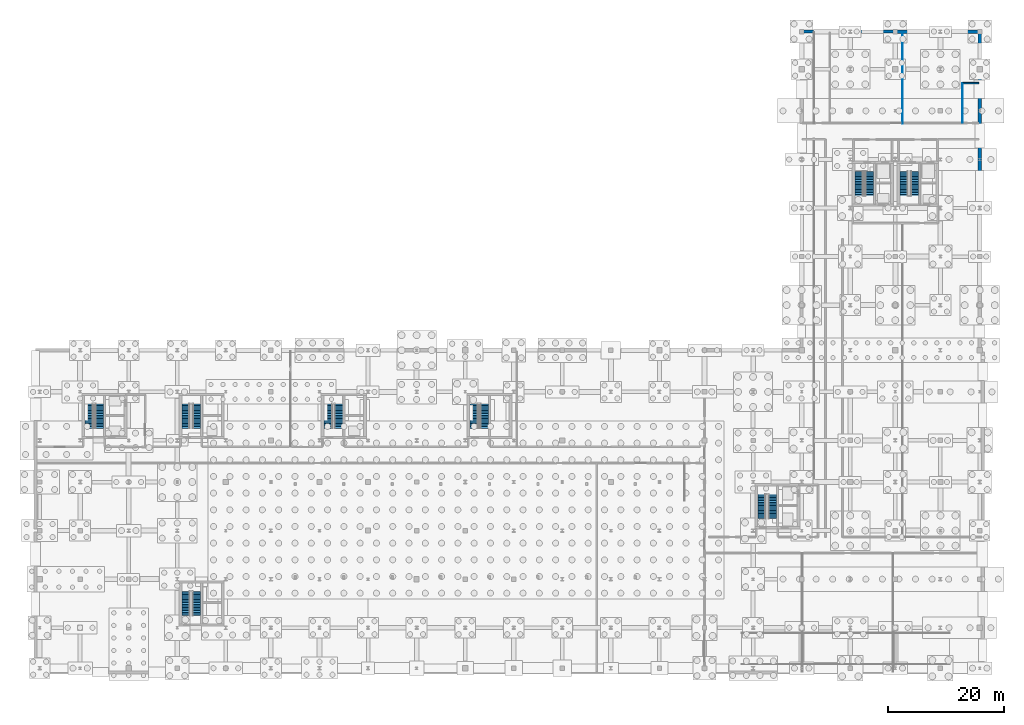
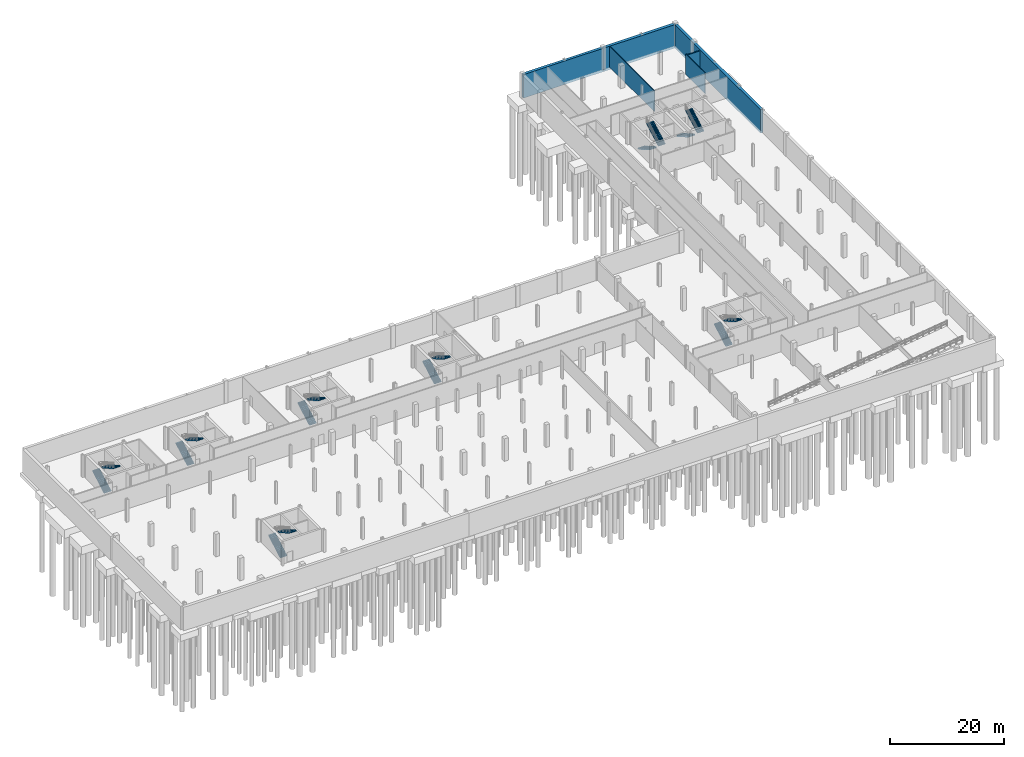
# One storey, part 27 of 32: 16 stair flights, 6 walls, 8 elements without a shape of their own.
"""IFC4 building model written with IfcOpenShell, lengths in metres."""

from ifc_helpers import new_model, si_unit, direction, frame, frame_2d, origin_with_axes, place, context, subcontext, project, spatial, polyline, rectangle, outline, extrude, material, layer, layer_set, type_object, element, aggregate, save


model = new_model("IFC4")

# Units and contexts
model_context = context("Model", 3, precision=1e-05, world=origin_with_axes(), true_north=direction((0.0, 1.0)))
body_context = subcontext(model_context, "Body", "Model", "MODEL_VIEW")
ifc_project = project(units=[si_unit("LENGTHUNIT", "METRE"), si_unit("AREAUNIT", "SQUARE_METRE"), si_unit("VOLUMEUNIT", "CUBIC_METRE"), si_unit("PLANEANGLEUNIT", "RADIAN"), si_unit("MASSUNIT", "GRAM", prefix="KILO"), si_unit("THERMODYNAMICTEMPERATUREUNIT", "KELVIN")], contexts=[model_context])

# Site, building, storey
site_placement = place(None, origin_with_axes())
site = spatial("IfcSite", under=ifc_project, at=site_placement, CompositionType="ELEMENT")
building_placement = place(site_placement, origin_with_axes())
building = spatial("IfcBuilding", under=site, at=building_placement, Name="Montbau Bow Law Courts", CompositionType="ELEMENT")
storey_placement = place(building_placement, frame((0.0, 0.0, -4.8), z_axis=(0.0, 0.0, 1.0), x_axis=(1.0, 0.0, 0.0)))
storey = spatial("IfcBuildingStorey", under=building, at=storey_placement, Name="B1", CompositionType="ELEMENT", Elevation=-4.8)

# Walls
ifc_material_1 = material(Name="Security Custody Wet-Cell Plumbing Chase Assembly", Category="masonry")
ifc_layer_1 = layer(ifc_material_1, 0.24, Name="Plumbing Wall", Category="masonry")
ifc_layer_set_1 = layer_set([ifc_layer_1], Name="Security Custody Wet-Cell Plumbing Chase Assembly")
wall_type_1 = type_object("IfcWallType", Name="W-PLM-02", PredefinedType="PLUMBINGWALL", material=ifc_layer_set_1)
wall_1_placement = place(None, frame((166.41, 108.0, -4.8), z_axis=(0.0, 0.0, 1.0), x_axis=(1.0, 0.0, 0.0)))
element("IfcWall", 1, at=wall_1_placement, inside=storey, type_object=wall_type_1, Name="WD-B1-0601:wal_0668", PredefinedType="PLUMBINGWALL", context=body_context, shape_type="SweptSolid", body=[
    extrude(rectangle(XDim=2.8499999999999943, YDim=0.24, at=frame_2d((1.425, 0.0), x_axis=(1.0, 0.0))), origin_with_axes(), (0.0, 0.0, 1.0), 4.152),
])
ifc_material_2 = material(Name="1 h Registry Office Steel-Stud Fire Partition", Category="gypsum")
ifc_layer_2 = layer(ifc_material_2, 0.14, Name="Partition", Category="gypsum")
ifc_layer_set_2 = layer_set([ifc_layer_2], Name="1 h Registry Office Steel-Stud Fire Partition")
wall_type_2 = type_object("IfcWallType", Name="W-PRT-06", PredefinedType="PARTITIONING", material=ifc_layer_set_2)
wall_2_placement = place(None, frame((156.04, 101.0, -4.8), z_axis=(0.0, 0.0, 1.0), x_axis=(0.0, 1.0, 0.0)))
element("IfcWall", 2, at=wall_2_placement, inside=storey, type_object=wall_type_2, Name="WD-B1-0606:wal_0673", PredefinedType="PARTITIONING", context=body_context, shape_type="SweptSolid", body=[
    extrude(rectangle(XDim=15.780000000000001, YDim=0.14, at=frame_2d((7.89, 0.0), x_axis=(1.0, 0.0))), origin_with_axes(), (0.0, 0.0, 1.0), 4.44),
])
ifc_material_3 = material(Name="Washroom Vestibule Furring Partition", Category="gypsum")
ifc_layer_3 = layer(ifc_material_3, 0.1, Name="Partition", Category="gypsum")
ifc_layer_set_3 = layer_set([ifc_layer_3], Name="Washroom Vestibule Furring Partition")
wall_type_3 = type_object("IfcWallType", Name="W-PRT-08", PredefinedType="PARTITIONING", material=ifc_layer_set_3)
wall_3_placement = place(None, frame((166.41, 101.19, -4.8), z_axis=(0.0, 0.0, 1.0), x_axis=(0.0, 1.0, 0.0)))
element("IfcWall", 3, at=wall_3_placement, inside=storey, type_object=wall_type_3, Name="WD-B1-0600:wal_0667", PredefinedType="PARTITIONING", context=body_context, shape_type="SweptSolid", body=[
    extrude(rectangle(XDim=6.810000000000002, YDim=0.1, at=frame_2d((3.405, 0.0), x_axis=(1.0, 0.0))), origin_with_axes(), (0.0, 0.0, 1.0), 4.44),
])
ifc_material_4 = material(Name="Concrete CSA A23.1 f'c 40 MPa", Category="concrete")
ifc_layer_4 = layer(ifc_material_4, 0.55, Name="Retaining Wall", Category="concrete")
ifc_layer_set_4 = layer_set([ifc_layer_4], Name="Concrete CSA A23.1 f'c 40 MPa")
wall_type_4 = type_object("IfcWallType", Name="W-RET-01", PredefinedType="USERDEFINED", material=ifc_layer_set_4)
wall_4_placement = place(None, frame((169.4, 86.68, -5.35), z_axis=(0.0, 0.0, 1.0), x_axis=(0.0, 1.0, 0.0)))
element("IfcWall", 4, at=wall_4_placement, inside=storey, type_object=wall_type_4, Name="WR-B1-07:wal_0007", ObjectType="RETAININGWALL", PredefinedType="USERDEFINED", context=body_context, shape_type="SweptSolid", body=[
    extrude(rectangle(XDim=29.959999999999994, YDim=0.55, at=frame_2d((14.98, 0.0), x_axis=(1.0, 0.0))), origin_with_axes(), (0.0, 0.0, 1.0), 5.01),
])
wall_5_placement = place(None, frame((154.8, 116.92, -5.35), z_axis=(0.0, 0.0, 1.0), x_axis=(-1.0, 0.0, 0.0)))
element("IfcWall", 5, at=wall_5_placement, inside=storey, type_object=wall_type_4, Name="WR-B1-09:wal_0009", ObjectType="RETAININGWALL", PredefinedType="USERDEFINED", context=body_context, shape_type="SweptSolid", body=[
    extrude(rectangle(XDim=16.200000000000017, YDim=0.55, at=frame_2d((8.1, 0.0), x_axis=(1.0, 0.0))), origin_with_axes(), (0.0, 0.0, 1.0), 5.01),
])
ifc_layer_5 = layer(ifc_material_4, 0.6, Name="Retaining Wall", Category="concrete")
ifc_layer_set_5 = layer_set([ifc_layer_5], Name="Concrete CSA A23.1 f'c 40 MPa")
wall_type_5 = type_object("IfcWallType", Name="W-RET-02", PredefinedType="USERDEFINED", material=ifc_layer_set_5)
wall_6_placement = place(None, frame((169.4, 116.92, -5.35), z_axis=(0.0, 0.0, 1.0), x_axis=(-1.0, 0.0, 0.0)))
element("IfcWall", 6, at=wall_6_placement, inside=storey, type_object=wall_type_5, Name="WR-B1-08:wal_0008", ObjectType="RETAININGWALL", PredefinedType="USERDEFINED", context=body_context, shape_type="SweptSolid", body=[
    extrude(rectangle(XDim=14.599999999999994, YDim=0.6, at=frame_2d((7.3, 0.0), x_axis=(1.0, 0.0))), origin_with_axes(), (0.0, 0.0, 1.0), 5.01),
])

# Stair, stair flights
stair_type_1 = type_object("IfcStairType", Name="ST-JUD-1500", PredefinedType="HALF_TURN_STAIR", material=ifc_material_4)
stair_1_placement = place(None, frame((32.09, 48.3, -4.8), z_axis=(0.0, 0.0, 1.0), x_axis=(1.0, 0.0, 0.0)))
stair_1 = element("IfcStair", 7, at=stair_1_placement, inside=storey, type_object=stair_type_1, Name="ST-J1-B1:str_0009", PredefinedType="HALF_TURN_STAIR")
stair_flight_type_1 = type_object("IfcStairFlightType", Name="SF-RC-1500B", PredefinedType="STRAIGHT", material=ifc_material_4)
stair_flight_1_placement = place(None, frame((32.09, 48.3, -4.8), z_axis=(0.0, 0.0, 1.0), x_axis=(0.0, 1.0, 0.0)))
stair_flight_1 = element("IfcStairFlight", 8, at=stair_flight_1_placement, type_object=stair_flight_type_1, Name="ST-J1-B1-F1:str_0009_F1", NumberOfRisers=15, NumberOfTreads=14, PredefinedType="STRAIGHT", RiserHeight=0.16, TreadLength=0.28, context=body_context, shape_type="SweptSolid", body=[
    extrude(outline(polyline([(0.0, 0.0), (0.0, 0.16), (0.28, 0.16), (0.28, 0.32), (0.56, 0.32), (0.56, 0.48), (0.84, 0.48), (0.84, 0.64), (1.12, 0.64), (1.12, 0.8), (1.4, 0.8), (1.4, 0.96), (1.68, 0.96), (1.68, 1.12), (1.96, 1.12), (1.96, 1.28), (2.24, 1.28), (2.24, 1.44), (2.52, 1.44), (2.52, 1.6), (2.8, 1.6), (2.8, 1.76), (3.08, 1.76), (3.08, 1.92), (3.36, 1.92), (3.36, 2.08), (3.64, 2.08), (3.64, 2.24), (3.92, 2.24), (3.92, 2.4), (4.2, 2.4), (4.2, 2.192685), (0.362802, 0.0), (0.0, 0.0)])), frame((0.0, 0.67, 0.0), z_axis=(0.0, -1.0, 0.0), x_axis=(1.0, 0.0, 0.0)), (0.0, 0.0, 1.0), 1.34),
])
stair_flight_2_placement = place(None, frame((33.96, 52.5, -2.4), z_axis=(0.0, 0.0, 1.0), x_axis=(0.0, -1.0, 0.0)))
stair_flight_2 = element("IfcStairFlight", 9, at=stair_flight_2_placement, type_object=stair_flight_type_1, Name="ST-J1-B1-F2:str_0009_F2", NumberOfRisers=15, NumberOfTreads=14, PredefinedType="STRAIGHT", RiserHeight=0.16, TreadLength=0.28, context=body_context, shape_type="SweptSolid", body=[
    extrude(outline(polyline([(0.0, 0.0), (0.0, 0.16), (0.28, 0.16), (0.28, 0.32), (0.56, 0.32), (0.56, 0.48), (0.84, 0.48), (0.84, 0.64), (1.12, 0.64), (1.12, 0.8), (1.4, 0.8), (1.4, 0.96), (1.68, 0.96), (1.68, 1.12), (1.96, 1.12), (1.96, 1.28), (2.24, 1.28), (2.24, 1.44), (2.52, 1.44), (2.52, 1.6), (2.8, 1.6), (2.8, 1.76), (3.08, 1.76), (3.08, 1.92), (3.36, 1.92), (3.36, 2.08), (3.64, 2.08), (3.64, 2.24), (3.92, 2.24), (3.92, 2.4), (4.2, 2.4), (4.2, 2.192685), (0.362802, 0.0), (0.0, 0.0)])), frame((0.0, 0.67, 0.0), z_axis=(0.0, -1.0, 0.0), x_axis=(1.0, 0.0, 0.0)), (0.0, 0.0, 1.0), 1.34),
])
aggregate(stair_1, [stair_flight_1, stair_flight_2])

stair_2_placement = place(None, frame((156.29, 92.7, -4.8), z_axis=(0.0, 0.0, 1.0), x_axis=(1.0, 0.0, 0.0)))
stair_2 = element("IfcStair", 10, at=stair_2_placement, inside=storey, type_object=stair_type_1, Name="ST-J2-B1:str_0044", PredefinedType="HALF_TURN_STAIR")
stair_flight_3_placement = place(None, frame((156.29, 92.7, -4.8), z_axis=(0.0, 0.0, 1.0), x_axis=(0.0, -1.0, 0.0)))
stair_flight_3 = element("IfcStairFlight", 11, at=stair_flight_3_placement, type_object=stair_flight_type_1, Name="ST-J2-B1-F1:str_0044_F1", NumberOfRisers=15, NumberOfTreads=14, PredefinedType="STRAIGHT", RiserHeight=0.16, TreadLength=0.28, context=body_context, shape_type="SweptSolid", body=[
    extrude(outline(polyline([(0.0, 0.0), (0.0, 0.16), (0.28, 0.16), (0.28, 0.32), (0.56, 0.32), (0.56, 0.48), (0.84, 0.48), (0.84, 0.64), (1.12, 0.64), (1.12, 0.8), (1.4, 0.8), (1.4, 0.96), (1.68, 0.96), (1.68, 1.12), (1.96, 1.12), (1.96, 1.28), (2.24, 1.28), (2.24, 1.44), (2.52, 1.44), (2.52, 1.6), (2.8, 1.6), (2.8, 1.76), (3.08, 1.76), (3.08, 1.92), (3.36, 1.92), (3.36, 2.08), (3.64, 2.08), (3.64, 2.24), (3.92, 2.24), (3.92, 2.4), (4.2, 2.4), (4.2, 2.192685), (0.362802, 0.0), (0.0, 0.0)])), frame((0.0, 0.67, 0.0), z_axis=(0.0, -1.0, 0.0), x_axis=(1.0, 0.0, 0.0)), (0.0, 0.0, 1.0), 1.34),
])
stair_flight_4_placement = place(None, frame((158.16, 88.5, -2.4), z_axis=(0.0, 0.0, 1.0), x_axis=(0.0, 1.0, 0.0)))
stair_flight_4 = element("IfcStairFlight", 12, at=stair_flight_4_placement, type_object=stair_flight_type_1, Name="ST-J2-B1-F2:str_0044_F2", NumberOfRisers=15, NumberOfTreads=14, PredefinedType="STRAIGHT", RiserHeight=0.16, TreadLength=0.28, context=body_context, shape_type="SweptSolid", body=[
    extrude(outline(polyline([(0.0, 0.0), (0.0, 0.16), (0.28, 0.16), (0.28, 0.32), (0.56, 0.32), (0.56, 0.48), (0.84, 0.48), (0.84, 0.64), (1.12, 0.64), (1.12, 0.8), (1.4, 0.8), (1.4, 0.96), (1.68, 0.96), (1.68, 1.12), (1.96, 1.12), (1.96, 1.28), (2.24, 1.28), (2.24, 1.44), (2.52, 1.44), (2.52, 1.6), (2.8, 1.6), (2.8, 1.76), (3.08, 1.76), (3.08, 1.92), (3.36, 1.92), (3.36, 2.08), (3.64, 2.08), (3.64, 2.24), (3.92, 2.24), (3.92, 2.4), (4.2, 2.4), (4.2, 2.192685), (0.362802, 0.0), (0.0, 0.0)])), frame((0.0, 0.67, 0.0), z_axis=(0.0, -1.0, 0.0), x_axis=(1.0, 0.0, 0.0)), (0.0, 0.0, 1.0), 1.34),
])
aggregate(stair_2, [stair_flight_3, stair_flight_4])

stair_type_2 = type_object("IfcStairType", Name="ST-CUS-1500", PredefinedType="HALF_TURN_STAIR", material=ifc_material_4)
stair_3_placement = place(None, frame((131.69, 32.7, -4.8), z_axis=(0.0, 0.0, 1.0), x_axis=(1.0, 0.0, 0.0)))
stair_3 = element("IfcStair", 13, at=stair_3_placement, inside=storey, type_object=stair_type_2, Name="ST-C1-B1:str_0055", PredefinedType="HALF_TURN_STAIR")
stair_flight_5_placement = place(None, frame((131.69, 32.7, -4.8), z_axis=(0.0, 0.0, 1.0), x_axis=(0.0, 1.0, 0.0)))
stair_flight_5 = element("IfcStairFlight", 14, at=stair_flight_5_placement, type_object=stair_flight_type_1, Name="ST-C1-B1-F1:str_0055_F1", NumberOfRisers=15, NumberOfTreads=14, PredefinedType="STRAIGHT", RiserHeight=0.16, TreadLength=0.28, context=body_context, shape_type="SweptSolid", body=[
    extrude(outline(polyline([(0.0, 0.0), (0.0, 0.16), (0.28, 0.16), (0.28, 0.32), (0.56, 0.32), (0.56, 0.48), (0.84, 0.48), (0.84, 0.64), (1.12, 0.64), (1.12, 0.8), (1.4, 0.8), (1.4, 0.96), (1.68, 0.96), (1.68, 1.12), (1.96, 1.12), (1.96, 1.28), (2.24, 1.28), (2.24, 1.44), (2.52, 1.44), (2.52, 1.6), (2.8, 1.6), (2.8, 1.76), (3.08, 1.76), (3.08, 1.92), (3.36, 1.92), (3.36, 2.08), (3.64, 2.08), (3.64, 2.24), (3.92, 2.24), (3.92, 2.4), (4.2, 2.4), (4.2, 2.192685), (0.362802, 0.0), (0.0, 0.0)])), frame((0.0, 0.67, 0.0), z_axis=(0.0, -1.0, 0.0), x_axis=(1.0, 0.0, 0.0)), (0.0, 0.0, 1.0), 1.34),
])
stair_flight_6_placement = place(None, frame((133.56, 36.9, -2.4), z_axis=(0.0, 0.0, 1.0), x_axis=(0.0, -1.0, 0.0)))
stair_flight_6 = element("IfcStairFlight", 15, at=stair_flight_6_placement, type_object=stair_flight_type_1, Name="ST-C1-B1-F2:str_0055_F2", NumberOfRisers=15, NumberOfTreads=14, PredefinedType="STRAIGHT", RiserHeight=0.16, TreadLength=0.28, context=body_context, shape_type="SweptSolid", body=[
    extrude(outline(polyline([(0.0, 0.0), (0.0, 0.16), (0.28, 0.16), (0.28, 0.32), (0.56, 0.32), (0.56, 0.48), (0.84, 0.48), (0.84, 0.64), (1.12, 0.64), (1.12, 0.8), (1.4, 0.8), (1.4, 0.96), (1.68, 0.96), (1.68, 1.12), (1.96, 1.12), (1.96, 1.28), (2.24, 1.28), (2.24, 1.44), (2.52, 1.44), (2.52, 1.6), (2.8, 1.6), (2.8, 1.76), (3.08, 1.76), (3.08, 1.92), (3.36, 1.92), (3.36, 2.08), (3.64, 2.08), (3.64, 2.24), (3.92, 2.24), (3.92, 2.4), (4.2, 2.4), (4.2, 2.192685), (0.362802, 0.0), (0.0, 0.0)])), frame((0.0, 0.67, 0.0), z_axis=(0.0, -1.0, 0.0), x_axis=(1.0, 0.0, 0.0)), (0.0, 0.0, 1.0), 1.34),
])
aggregate(stair_3, [stair_flight_5, stair_flight_6])

stair_type_3 = type_object("IfcStairType", Name="ST-CER-1650", PredefinedType="HALF_TURN_STAIR", material=ifc_material_4)
stair_4_placement = place(None, frame((32.11, 15.9, -4.8), z_axis=(0.0, 0.0, 1.0), x_axis=(1.0, 0.0, 0.0)))
stair_4 = element("IfcStair", 16, at=stair_4_placement, inside=storey, type_object=stair_type_3, Name="ST-CER1-B1:str_0059", PredefinedType="HALF_TURN_STAIR")
stair_flight_type_2 = type_object("IfcStairFlightType", Name="SF-RC-1650B", PredefinedType="STRAIGHT", material=ifc_material_4)
stair_flight_7_placement = place(None, frame((32.11, 15.9, -4.8), z_axis=(0.0, 0.0, 1.0), x_axis=(0.0, 1.0, 0.0)))
stair_flight_7 = element("IfcStairFlight", 17, at=stair_flight_7_placement, type_object=stair_flight_type_2, Name="ST-CER1-B1-F1:str_0059_F1", NumberOfRisers=15, NumberOfTreads=14, PredefinedType="STRAIGHT", RiserHeight=0.16, TreadLength=0.28, context=body_context, shape_type="SweptSolid", body=[
    extrude(outline(polyline([(0.0, 0.0), (0.0, 0.16), (0.28, 0.16), (0.28, 0.32), (0.56, 0.32), (0.56, 0.48), (0.84, 0.48), (0.84, 0.64), (1.12, 0.64), (1.12, 0.8), (1.4, 0.8), (1.4, 0.96), (1.68, 0.96), (1.68, 1.12), (1.96, 1.12), (1.96, 1.28), (2.24, 1.28), (2.24, 1.44), (2.52, 1.44), (2.52, 1.6), (2.8, 1.6), (2.8, 1.76), (3.08, 1.76), (3.08, 1.92), (3.36, 1.92), (3.36, 2.08), (3.64, 2.08), (3.64, 2.24), (3.92, 2.24), (3.92, 2.4), (4.2, 2.4), (4.2, 2.192685), (0.362802, 0.0), (0.0, 0.0)])), frame((0.0, 0.69, 0.0), z_axis=(0.0, -1.0, 0.0), x_axis=(1.0, 0.0, 0.0)), (0.0, 0.0, 1.0), 1.38),
])
stair_flight_8_placement = place(None, frame((33.94, 20.1, -2.4), z_axis=(0.0, 0.0, 1.0), x_axis=(0.0, -1.0, 0.0)))
stair_flight_8 = element("IfcStairFlight", 18, at=stair_flight_8_placement, type_object=stair_flight_type_2, Name="ST-CER1-B1-F2:str_0059_F2", NumberOfRisers=15, NumberOfTreads=14, PredefinedType="STRAIGHT", RiserHeight=0.16, TreadLength=0.28, context=body_context, shape_type="SweptSolid", body=[
    extrude(outline(polyline([(0.0, 0.0), (0.0, 0.16), (0.28, 0.16), (0.28, 0.32), (0.56, 0.32), (0.56, 0.48), (0.84, 0.48), (0.84, 0.64), (1.12, 0.64), (1.12, 0.8), (1.4, 0.8), (1.4, 0.96), (1.68, 0.96), (1.68, 1.12), (1.96, 1.12), (1.96, 1.28), (2.24, 1.28), (2.24, 1.44), (2.52, 1.44), (2.52, 1.6), (2.8, 1.6), (2.8, 1.76), (3.08, 1.76), (3.08, 1.92), (3.36, 1.92), (3.36, 2.08), (3.64, 2.08), (3.64, 2.24), (3.92, 2.24), (3.92, 2.4), (4.2, 2.4), (4.2, 2.192685), (0.362802, 0.0), (0.0, 0.0)])), frame((0.0, 0.69, 0.0), z_axis=(0.0, -1.0, 0.0), x_axis=(1.0, 0.0, 0.0)), (0.0, 0.0, 1.0), 1.38),
])
aggregate(stair_4, [stair_flight_7, stair_flight_8])

stair_type_4 = type_object("IfcStairType", Name="ST-PUB-1800", PredefinedType="HALF_TURN_STAIR", material=ifc_material_4)
stair_5_placement = place(None, frame((15.33, 48.3, -4.8), z_axis=(0.0, 0.0, 1.0), x_axis=(1.0, 0.0, 0.0)))
stair_5 = element("IfcStair", 19, at=stair_5_placement, inside=storey, type_object=stair_type_4, Name="ST-P1-B1:str_0001", PredefinedType="HALF_TURN_STAIR")
stair_flight_type_3 = type_object("IfcStairFlightType", Name="SF-RC-1800B", PredefinedType="STRAIGHT", material=ifc_material_4)
stair_flight_9_placement = place(None, frame((15.33, 48.3, -4.8), z_axis=(0.0, 0.0, 1.0), x_axis=(0.0, 1.0, 0.0)))
stair_flight_9 = element("IfcStairFlight", 20, at=stair_flight_9_placement, type_object=stair_flight_type_3, Name="ST-P1-B1-F1:str_0001_F1", NumberOfRisers=15, NumberOfTreads=14, PredefinedType="STRAIGHT", RiserHeight=0.16, TreadLength=0.28, context=body_context, shape_type="SweptSolid", body=[
    extrude(outline(polyline([(0.0, 0.0), (0.0, 0.16), (0.28, 0.16), (0.28, 0.32), (0.56, 0.32), (0.56, 0.48), (0.84, 0.48), (0.84, 0.64), (1.12, 0.64), (1.12, 0.8), (1.4, 0.8), (1.4, 0.96), (1.68, 0.96), (1.68, 1.12), (1.96, 1.12), (1.96, 1.28), (2.24, 1.28), (2.24, 1.44), (2.52, 1.44), (2.52, 1.6), (2.8, 1.6), (2.8, 1.76), (3.08, 1.76), (3.08, 1.92), (3.36, 1.92), (3.36, 2.08), (3.64, 2.08), (3.64, 2.24), (3.92, 2.24), (3.92, 2.4), (4.2, 2.4), (4.2, 2.192685), (0.362802, 0.0), (0.0, 0.0)])), frame((0.0, 0.71, 0.0), z_axis=(0.0, -1.0, 0.0), x_axis=(1.0, 0.0, 0.0)), (0.0, 0.0, 1.0), 1.42),
])
stair_flight_10_placement = place(None, frame((17.12, 52.5, -2.4), z_axis=(0.0, 0.0, 1.0), x_axis=(0.0, -1.0, 0.0)))
stair_flight_10 = element("IfcStairFlight", 21, at=stair_flight_10_placement, type_object=stair_flight_type_3, Name="ST-P1-B1-F2:str_0001_F2", NumberOfRisers=15, NumberOfTreads=14, PredefinedType="STRAIGHT", RiserHeight=0.16, TreadLength=0.28, context=body_context, shape_type="SweptSolid", body=[
    extrude(outline(polyline([(0.0, 0.0), (0.0, 0.16), (0.28, 0.16), (0.28, 0.32), (0.56, 0.32), (0.56, 0.48), (0.84, 0.48), (0.84, 0.64), (1.12, 0.64), (1.12, 0.8), (1.4, 0.8), (1.4, 0.96), (1.68, 0.96), (1.68, 1.12), (1.96, 1.12), (1.96, 1.28), (2.24, 1.28), (2.24, 1.44), (2.52, 1.44), (2.52, 1.6), (2.8, 1.6), (2.8, 1.76), (3.08, 1.76), (3.08, 1.92), (3.36, 1.92), (3.36, 2.08), (3.64, 2.08), (3.64, 2.24), (3.92, 2.24), (3.92, 2.4), (4.2, 2.4), (4.2, 2.192685), (0.362802, 0.0), (0.0, 0.0)])), frame((0.0, 0.71, 0.0), z_axis=(0.0, -1.0, 0.0), x_axis=(1.0, 0.0, 0.0)), (0.0, 0.0, 1.0), 1.42),
])
aggregate(stair_5, [stair_flight_9, stair_flight_10])

stair_6_placement = place(None, frame((56.73, 48.3, -4.8), z_axis=(0.0, 0.0, 1.0), x_axis=(1.0, 0.0, 0.0)))
stair_6 = element("IfcStair", 22, at=stair_6_placement, inside=storey, type_object=stair_type_4, Name="ST-P4-B1:str_0017", PredefinedType="HALF_TURN_STAIR")
stair_flight_11_placement = place(None, frame((56.73, 48.3, -4.8), z_axis=(0.0, 0.0, 1.0), x_axis=(0.0, 1.0, 0.0)))
stair_flight_11 = element("IfcStairFlight", 23, at=stair_flight_11_placement, type_object=stair_flight_type_3, Name="ST-P4-B1-F1:str_0017_F1", NumberOfRisers=15, NumberOfTreads=14, PredefinedType="STRAIGHT", RiserHeight=0.16, TreadLength=0.28, context=body_context, shape_type="SweptSolid", body=[
    extrude(outline(polyline([(0.0, 0.0), (0.0, 0.16), (0.28, 0.16), (0.28, 0.32), (0.56, 0.32), (0.56, 0.48), (0.84, 0.48), (0.84, 0.64), (1.12, 0.64), (1.12, 0.8), (1.4, 0.8), (1.4, 0.96), (1.68, 0.96), (1.68, 1.12), (1.96, 1.12), (1.96, 1.28), (2.24, 1.28), (2.24, 1.44), (2.52, 1.44), (2.52, 1.6), (2.8, 1.6), (2.8, 1.76), (3.08, 1.76), (3.08, 1.92), (3.36, 1.92), (3.36, 2.08), (3.64, 2.08), (3.64, 2.24), (3.92, 2.24), (3.92, 2.4), (4.2, 2.4), (4.2, 2.192685), (0.362802, 0.0), (0.0, 0.0)])), frame((0.0, 0.71, 0.0), z_axis=(0.0, -1.0, 0.0), x_axis=(1.0, 0.0, 0.0)), (0.0, 0.0, 1.0), 1.42),
])
stair_flight_12_placement = place(None, frame((58.52, 52.5, -2.4), z_axis=(0.0, 0.0, 1.0), x_axis=(0.0, -1.0, 0.0)))
stair_flight_12 = element("IfcStairFlight", 24, at=stair_flight_12_placement, type_object=stair_flight_type_3, Name="ST-P4-B1-F2:str_0017_F2", NumberOfRisers=15, NumberOfTreads=14, PredefinedType="STRAIGHT", RiserHeight=0.16, TreadLength=0.28, context=body_context, shape_type="SweptSolid", body=[
    extrude(outline(polyline([(0.0, 0.0), (0.0, 0.16), (0.28, 0.16), (0.28, 0.32), (0.56, 0.32), (0.56, 0.48), (0.84, 0.48), (0.84, 0.64), (1.12, 0.64), (1.12, 0.8), (1.4, 0.8), (1.4, 0.96), (1.68, 0.96), (1.68, 1.12), (1.96, 1.12), (1.96, 1.28), (2.24, 1.28), (2.24, 1.44), (2.52, 1.44), (2.52, 1.6), (2.8, 1.6), (2.8, 1.76), (3.08, 1.76), (3.08, 1.92), (3.36, 1.92), (3.36, 2.08), (3.64, 2.08), (3.64, 2.24), (3.92, 2.24), (3.92, 2.4), (4.2, 2.4), (4.2, 2.192685), (0.362802, 0.0), (0.0, 0.0)])), frame((0.0, 0.71, 0.0), z_axis=(0.0, -1.0, 0.0), x_axis=(1.0, 0.0, 0.0)), (0.0, 0.0, 1.0), 1.42),
])
aggregate(stair_6, [stair_flight_11, stair_flight_12])

stair_7_placement = place(None, frame((81.93, 48.3, -4.8), z_axis=(0.0, 0.0, 1.0), x_axis=(1.0, 0.0, 0.0)))
stair_7 = element("IfcStair", 25, at=stair_7_placement, inside=storey, type_object=stair_type_4, Name="ST-P3-B1:str_0025", PredefinedType="HALF_TURN_STAIR")
stair_flight_13_placement = place(None, frame((81.93, 48.3, -4.8), z_axis=(0.0, 0.0, 1.0), x_axis=(0.0, 1.0, 0.0)))
stair_flight_13 = element("IfcStairFlight", 26, at=stair_flight_13_placement, type_object=stair_flight_type_3, Name="ST-P3-B1-F1:str_0025_F1", NumberOfRisers=15, NumberOfTreads=14, PredefinedType="STRAIGHT", RiserHeight=0.16, TreadLength=0.28, context=body_context, shape_type="SweptSolid", body=[
    extrude(outline(polyline([(0.0, 0.0), (0.0, 0.16), (0.28, 0.16), (0.28, 0.32), (0.56, 0.32), (0.56, 0.48), (0.84, 0.48), (0.84, 0.64), (1.12, 0.64), (1.12, 0.8), (1.4, 0.8), (1.4, 0.96), (1.68, 0.96), (1.68, 1.12), (1.96, 1.12), (1.96, 1.28), (2.24, 1.28), (2.24, 1.44), (2.52, 1.44), (2.52, 1.6), (2.8, 1.6), (2.8, 1.76), (3.08, 1.76), (3.08, 1.92), (3.36, 1.92), (3.36, 2.08), (3.64, 2.08), (3.64, 2.24), (3.92, 2.24), (3.92, 2.4), (4.2, 2.4), (4.2, 2.192685), (0.362802, 0.0), (0.0, 0.0)])), frame((0.0, 0.71, 0.0), z_axis=(0.0, -1.0, 0.0), x_axis=(1.0, 0.0, 0.0)), (0.0, 0.0, 1.0), 1.42),
])
stair_flight_14_placement = place(None, frame((83.72, 52.5, -2.4), z_axis=(0.0, 0.0, 1.0), x_axis=(0.0, -1.0, 0.0)))
stair_flight_14 = element("IfcStairFlight", 27, at=stair_flight_14_placement, type_object=stair_flight_type_3, Name="ST-P3-B1-F2:str_0025_F2", NumberOfRisers=15, NumberOfTreads=14, PredefinedType="STRAIGHT", RiserHeight=0.16, TreadLength=0.28, context=body_context, shape_type="SweptSolid", body=[
    extrude(outline(polyline([(0.0, 0.0), (0.0, 0.16), (0.28, 0.16), (0.28, 0.32), (0.56, 0.32), (0.56, 0.48), (0.84, 0.48), (0.84, 0.64), (1.12, 0.64), (1.12, 0.8), (1.4, 0.8), (1.4, 0.96), (1.68, 0.96), (1.68, 1.12), (1.96, 1.12), (1.96, 1.28), (2.24, 1.28), (2.24, 1.44), (2.52, 1.44), (2.52, 1.6), (2.8, 1.6), (2.8, 1.76), (3.08, 1.76), (3.08, 1.92), (3.36, 1.92), (3.36, 2.08), (3.64, 2.08), (3.64, 2.24), (3.92, 2.24), (3.92, 2.4), (4.2, 2.4), (4.2, 2.192685), (0.362802, 0.0), (0.0, 0.0)])), frame((0.0, 0.71, 0.0), z_axis=(0.0, -1.0, 0.0), x_axis=(1.0, 0.0, 0.0)), (0.0, 0.0, 1.0), 1.42),
])
aggregate(stair_7, [stair_flight_13, stair_flight_14])

stair_8_placement = place(None, frame((148.53, 92.7, -4.8), z_axis=(0.0, 0.0, 1.0), x_axis=(1.0, 0.0, 0.0)))
stair_8 = element("IfcStair", 28, at=stair_8_placement, inside=storey, type_object=stair_type_4, Name="ST-P2-B1:str_0033", PredefinedType="HALF_TURN_STAIR")
stair_flight_15_placement = place(None, frame((148.53, 92.7, -4.8), z_axis=(0.0, 0.0, 1.0), x_axis=(0.0, -1.0, 0.0)))
stair_flight_15 = element("IfcStairFlight", 29, at=stair_flight_15_placement, type_object=stair_flight_type_3, Name="ST-P2-B1-F1:str_0033_F1", NumberOfRisers=15, NumberOfTreads=14, PredefinedType="STRAIGHT", RiserHeight=0.16, TreadLength=0.28, context=body_context, shape_type="SweptSolid", body=[
    extrude(outline(polyline([(0.0, 0.0), (0.0, 0.16), (0.28, 0.16), (0.28, 0.32), (0.56, 0.32), (0.56, 0.48), (0.84, 0.48), (0.84, 0.64), (1.12, 0.64), (1.12, 0.8), (1.4, 0.8), (1.4, 0.96), (1.68, 0.96), (1.68, 1.12), (1.96, 1.12), (1.96, 1.28), (2.24, 1.28), (2.24, 1.44), (2.52, 1.44), (2.52, 1.6), (2.8, 1.6), (2.8, 1.76), (3.08, 1.76), (3.08, 1.92), (3.36, 1.92), (3.36, 2.08), (3.64, 2.08), (3.64, 2.24), (3.92, 2.24), (3.92, 2.4), (4.2, 2.4), (4.2, 2.192685), (0.362802, 0.0), (0.0, 0.0)])), frame((0.0, 0.71, 0.0), z_axis=(0.0, -1.0, 0.0), x_axis=(1.0, 0.0, 0.0)), (0.0, 0.0, 1.0), 1.42),
])
stair_flight_16_placement = place(None, frame((150.32, 88.5, -2.4), z_axis=(0.0, 0.0, 1.0), x_axis=(0.0, 1.0, 0.0)))
stair_flight_16 = element("IfcStairFlight", 30, at=stair_flight_16_placement, type_object=stair_flight_type_3, Name="ST-P2-B1-F2:str_0033_F2", NumberOfRisers=15, NumberOfTreads=14, PredefinedType="STRAIGHT", RiserHeight=0.16, TreadLength=0.28, context=body_context, shape_type="SweptSolid", body=[
    extrude(outline(polyline([(0.0, 0.0), (0.0, 0.16), (0.28, 0.16), (0.28, 0.32), (0.56, 0.32), (0.56, 0.48), (0.84, 0.48), (0.84, 0.64), (1.12, 0.64), (1.12, 0.8), (1.4, 0.8), (1.4, 0.96), (1.68, 0.96), (1.68, 1.12), (1.96, 1.12), (1.96, 1.28), (2.24, 1.28), (2.24, 1.44), (2.52, 1.44), (2.52, 1.6), (2.8, 1.6), (2.8, 1.76), (3.08, 1.76), (3.08, 1.92), (3.36, 1.92), (3.36, 2.08), (3.64, 2.08), (3.64, 2.24), (3.92, 2.24), (3.92, 2.4), (4.2, 2.4), (4.2, 2.192685), (0.362802, 0.0), (0.0, 0.0)])), frame((0.0, 0.71, 0.0), z_axis=(0.0, -1.0, 0.0), x_axis=(1.0, 0.0, 0.0)), (0.0, 0.0, 1.0), 1.42),
])
aggregate(stair_8, [stair_flight_15, stair_flight_16])

save(model, "model.ifc")
